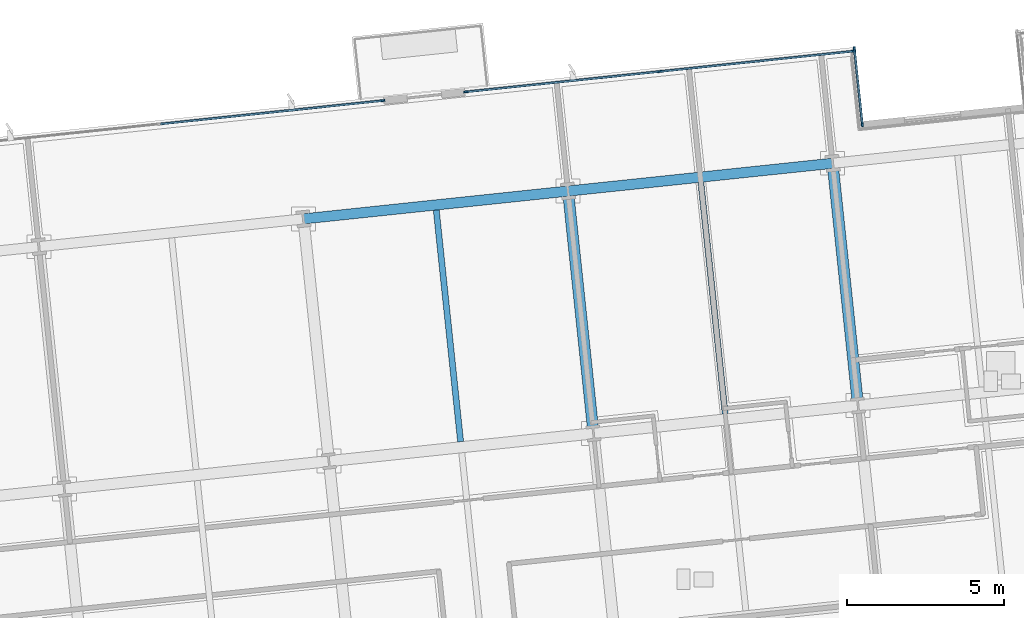
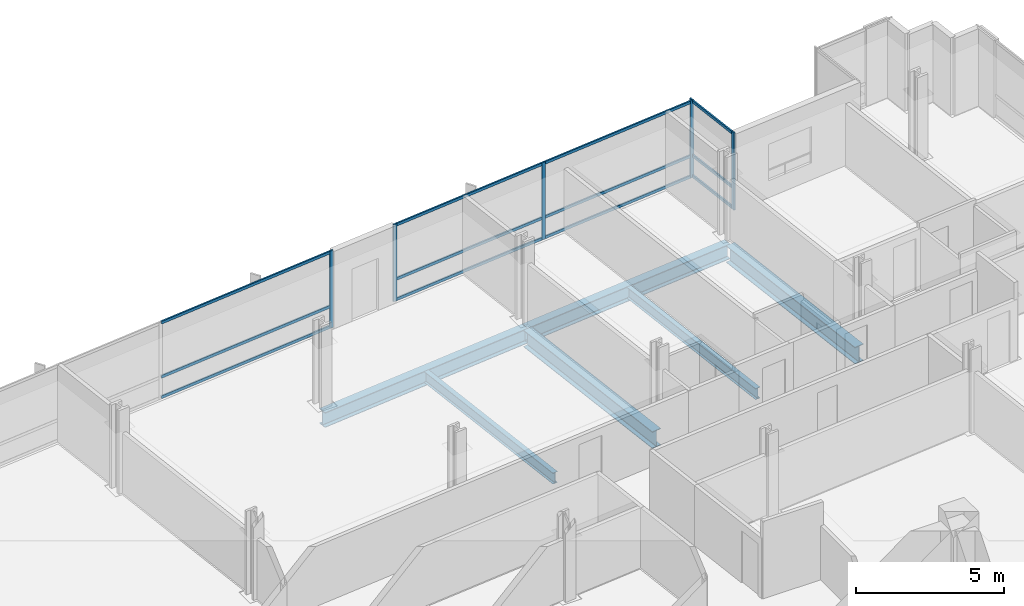
# One storey, part 10 of 21: 18 members, 6 beams, 3 elements without a shape of their own.
"""IFC4 building model written with IfcOpenShell, lengths in metres."""

import ifcopenshell
import ifcopenshell.guid

model = None  # the IFC model being written
_history = None  # IfcOwnerHistory: only IFC2X3 demands one
_inside = {}  # id of a spatial element -> (the spatial element, [elements in it])
_under = {}  # id of a project, library or spatial element -> (it, [spatial elements below it])
_declared = {}  # id of a project -> (the project, [libraries it declares])
_typed = {}  # id of a type object -> (the type object, [elements of that type])
_made_of = {}  # id of a material, layer set ... -> (it, [elements and type objects made of it])


def new_model(schema):
    """Start an empty IFC model of exactly this schema.

    Asked for "IFC4X3", IfcOpenShell would pick the latest addendum, in which some entities
    have other attributes; the version numbers below select the first issue.
    IFC2X3 requires an IfcOwnerHistory on every rooted entity: one is made here for all.
    """
    global model, _history
    if schema == "IFC4X3":
        model = ifcopenshell.file(schema_version=(4, 3, 0, 0))
    else:
        model = ifcopenshell.file(schema=schema)
    _inside.clear()
    _under.clear()
    _declared.clear()
    _typed.clear()
    _made_of.clear()
    _history = None
    if model.schema == "IFC2X3":
        org = make("IfcOrganization", Name="unknown")
        user = make(
            "IfcPersonAndOrganization",
            ThePerson=make("IfcPerson", FamilyName="unknown"),
            TheOrganization=org,
        )
        app = make(
            "IfcApplication",
            ApplicationDeveloper=org,
            Version="unknown",
            ApplicationFullName="unknown",
            ApplicationIdentifier="unknown",
        )
        _history = make(
            "IfcOwnerHistory",
            OwningUser=user,
            OwningApplication=app,
            ChangeAction="ADDED",
            CreationDate=0,
        )
    return model


def make(cls, **values):
    """One entity of the class cls with the attributes given. An attribute that is None is left unset."""
    return model.create_entity(
        cls, **{name: value for name, value in values.items() if value is not None}
    )


def rooted(cls, **values):
    """An entity with a GlobalId (a new one), such as an element, a storey or a relation."""
    return make(cls, GlobalId=ifcopenshell.guid.new(), OwnerHistory=_history, **values)


def si_unit(unit_type, name, prefix=None):
    """IfcSIUnit, for example si_unit("LENGTHUNIT", "METRE", prefix="MILLI")."""
    return make("IfcSIUnit", UnitType=unit_type, Prefix=prefix, Name=name)


def assignment(units):
    """IfcUnitAssignment: the units of a project."""
    return None if units is None else make("IfcUnitAssignment", Units=units)


def point(xyz):
    """IfcCartesianPoint."""
    return None if xyz is None else make("IfcCartesianPoint", Coordinates=xyz)


def direction(xyz):
    """IfcDirection."""
    return None if xyz is None else make("IfcDirection", DirectionRatios=xyz)


def frame(location, z_axis=None, x_axis=None):
    """IfcAxis2Placement3D, a coordinate frame: its origin and axes. An axis left out is left unset."""
    return make(
        "IfcAxis2Placement3D",
        Location=point(location),
        Axis=direction(z_axis),
        RefDirection=direction(x_axis),
    )


def frame_2d(location, x_axis=None):
    """IfcAxis2Placement2D, a coordinate frame in the plane: its origin and x axis."""
    return make(
        "IfcAxis2Placement2D", Location=point(location), RefDirection=direction(x_axis)
    )


def origin():
    """The frame at (0, 0, 0) with its axes left unset."""
    return frame((0.0, 0.0, 0.0))


def origin_2d():
    """The frame at (0, 0) in the plane with its x axis left unset."""
    return frame_2d((0.0, 0.0))


def place(relative_to, where):
    """IfcLocalPlacement: puts the frame where relative to a parent placement (None: the world)."""
    return make(
        "IfcLocalPlacement", PlacementRelTo=relative_to, RelativePlacement=where
    )


def context(
    kind, dimensions, precision=None, world=None, true_north=None, identifier=None
):
    """IfcGeometricRepresentationContext, for example the 3D "Model" context."""
    return make(
        "IfcGeometricRepresentationContext",
        ContextIdentifier=identifier,
        ContextType=kind,
        CoordinateSpaceDimension=dimensions,
        Precision=precision,
        WorldCoordinateSystem=world,
        TrueNorth=true_north,
    )


def subcontext(parent, identifier, kind, view, scale=None):
    """IfcGeometricRepresentationSubContext, for example "Body" below "Model"."""
    return make(
        "IfcGeometricRepresentationSubContext",
        ContextIdentifier=identifier,
        ContextType=kind,
        ParentContext=parent,
        TargetScale=scale,
        TargetView=view,
    )


def project(units=None, contexts=None):
    """IfcProject with its units and contexts."""
    return rooted(
        "IfcProject",
        Name="project",
        RepresentationContexts=contexts,
        UnitsInContext=assignment(units),
    )


def spatial(cls, under=None, at=None, **own):
    """A site, building, storey or space (cls), placed at a placement, below another one or the project."""
    s = rooted(cls, ObjectPlacement=at, **own)
    if under is not None:
        _under.setdefault(under.id(), (under, []))[1].append(s)
    return s


def profile(cls, at=None, kind="AREA", **sizes):
    """A parametric profile (cls). Its sizes go by their IFC names, for example OverallWidth=200.0."""
    return make(cls, ProfileType=kind, Position=at, **sizes)


def rectangle(**sizes):
    """IfcRectangleProfileDef."""
    return profile("IfcRectangleProfileDef", **sizes)


def i_section(**sizes):
    """IfcIShapeProfileDef."""
    return profile("IfcIShapeProfileDef", **sizes)


def extrude(swept, where, along, depth):
    """IfcExtrudedAreaSolid: the profile swept, set in the frame where, extruded along a direction by depth."""
    return make(
        "IfcExtrudedAreaSolid",
        SweptArea=swept,
        Position=where,
        ExtrudedDirection=direction(along),
        Depth=depth,
    )


def shape(context_of_items, identifier, shape_type, items):
    """IfcShapeRepresentation: the items that make up one representation, for example the "Body"."""
    return make(
        "IfcShapeRepresentation",
        ContextOfItems=context_of_items,
        RepresentationIdentifier=identifier,
        RepresentationType=shape_type,
        Items=items,
    )


def material(Name=None, Category=None):
    """IfcMaterial."""
    return make("IfcMaterial", Name=Name, Category=Category)


def material_profile(
    of_material, cross_section, Name=None, Category=None, Priority=None
):
    """IfcMaterialProfile: a cross section and its material."""
    return make(
        "IfcMaterialProfile",
        Name=Name,
        Material=of_material,
        Profile=cross_section,
        Priority=Priority,
        Category=Category,
    )


def profile_set(profiles, Name=None, composite=None):
    """IfcMaterialProfileSet."""
    return make(
        "IfcMaterialProfileSet",
        Name=Name,
        MaterialProfiles=profiles,
        CompositeProfile=composite,
    )


def made_of(thing, what):
    """Note that an element or type object is made of a material, layer set ...; save() writes the relation."""
    if what is not None:
        _made_of.setdefault(what.id(), (what, []))[1].append(thing)
    return thing


def type_object(cls, material=None, **own):
    """A type object (cls), such as IfcWallType, which elements share."""
    return made_of(rooted(cls, **own), material)


def element(
    cls,
    number,
    at=None,
    inside=None,
    cuts=None,
    type_object=None,
    material=None,
    context=None,
    identifier="Body",
    shape_type=None,
    held_by="IfcProductDefinitionShape",
    body=None,
    shapes=None,
    **own,
):
    """One element of the class cls, such as IfcWall. Its Tag is "e" and its number.

    at: its placement. inside: the storey or other place that contains it. cuts: it is an
    opening in that element (IfcRelVoidsElement). A single representation is given by context,
    identifier, shape_type and body (its items); several are given by shapes. held_by: the class
    of the entity that holds the representations. save() writes the other relations.
    """
    e = rooted(cls, Tag="e%d" % number, ObjectPlacement=at, **own)
    if body is not None:
        shapes = [shape(context, identifier, shape_type, body)]
    if shapes is not None:
        e.Representation = make(held_by, Representations=shapes)
    if inside is not None:
        _inside.setdefault(inside.id(), (inside, []))[1].append(e)
    if cuts is not None:
        rooted(
            "IfcRelVoidsElement", RelatingBuildingElement=cuts, RelatedOpeningElement=e
        )
    if type_object is not None:
        _typed.setdefault(type_object.id(), (type_object, []))[1].append(e)
    return made_of(e, material)


def aggregate(whole, parts):
    """IfcRelAggregates: a whole, such as a stair, and the parts it consists of."""
    return rooted("IfcRelAggregates", RelatingObject=whole, RelatedObjects=parts)


def save(model, path):
    """Write the relations noted so far, then the file.

    IfcRelAggregates (storeys below a building ...), IfcRelContainedInSpatialStructure (elements
    in a storey), IfcRelDefinesByType, IfcRelAssociatesMaterial and IfcRelDeclares: one each for
    every whole, place, type object, material and project.
    """
    for whole, parts in _under.values():
        aggregate(whole, parts)
    for where, things in _inside.values():
        rooted(
            "IfcRelContainedInSpatialStructure",
            RelatedElements=things,
            RelatingStructure=where,
        )
    for kind, things in _typed.values():
        rooted("IfcRelDefinesByType", RelatedObjects=things, RelatingType=kind)
    for what, things in _made_of.values():
        rooted("IfcRelAssociatesMaterial", RelatedObjects=things, RelatingMaterial=what)
    for by, libraries in _declared.values():
        rooted("IfcRelDeclares", RelatingContext=by, RelatedDefinitions=libraries)
    model.write(path)


model = new_model("IFC4")

# Units and contexts
model_context = context("Model", 3, precision=1e-05, world=origin(), true_north=direction((0.0, 1.0)))
body_context = subcontext(model_context, "Body", "Model", "MODEL_VIEW")
ifc_project = project(units=[si_unit("LENGTHUNIT", "METRE"), si_unit("AREAUNIT", "SQUARE_METRE"), si_unit("VOLUMEUNIT", "CUBIC_METRE"), si_unit("PLANEANGLEUNIT", "RADIAN"), si_unit("MASSUNIT", "GRAM", prefix="KILO")], contexts=[model_context])

# Site, building, storey
site_placement = place(None, origin())
site = spatial("IfcSite", under=ifc_project, at=site_placement, CompositionType="ELEMENT")
building_placement = place(site_placement, origin())
building = spatial("IfcBuilding", under=site, at=building_placement, Name="Solmavex Isthmus Hotel", CompositionType="ELEMENT")
storey_placement = place(building_placement, frame((0.0, 0.0, 113.25)))
storey = spatial("IfcBuildingStorey", under=building, at=storey_placement, Name="L30", CompositionType="ELEMENT", Elevation=113.25)

# Beams
ifc_material_1 = material(Name="Steel ASTM A992 Grade 50", Category="steel")
ifc_material_profile_1 = material_profile(ifc_material_1, i_section(OverallWidth=0.354736328125, OverallDepth=0.695556640625, WebThickness=0.015380859375, FlangeThickness=0.02490234375, FilletRadius=0.017822265625, at=origin_2d()), Name="W27X146")
ifc_profile_set_1 = profile_set([ifc_material_profile_1], Name="Steel ASTM A992 Grade 50")
beam_type_1 = type_object("IfcBeamType", Name="BM-BG-W27X146", PredefinedType="BEAM", material=ifc_profile_set_1)
for number, where, z_axis, x_axis, name in (
    (1, (12.123291015625, 11.21337890625, -0.607666015625), (-0.104525307271, 0.994522227072, 0.0), (-0.994522227072, -0.104525307271, 0.0), "Floor Beam L30-VG42"),
    (2, (20.54296875, 12.098388671875, -0.607666015625), (-0.1045578893, 0.994518802128, 0.0), (-0.994518802128, -0.1045578893, 0.0), "Floor Beam L30-VG45"),
):
    element("IfcBeam", number, at=place(storey_placement, frame(where, z_axis=z_axis, x_axis=x_axis)), inside=storey, type_object=beam_type_1, Name=name, PredefinedType="BEAM", context=body_context, shape_type="SweptSolid", body=[
        extrude(i_section(OverallWidth=0.354736328125, OverallDepth=0.695556640625, WebThickness=0.015380859375, FlangeThickness=0.02490234375, FilletRadius=0.017822265625, at=origin_2d()), origin(), (0.0, 0.0, 1.0), 7.4111328125),
    ])
ifc_material_profile_2 = material_profile(ifc_material_1, i_section(OverallWidth=0.1904296875, OverallDepth=0.456787109375, WebThickness=0.009033203125, FlangeThickness=0.014404296875, FilletRadius=0.0126953125, at=origin_2d()), Name="W18X50")
ifc_profile_set_2 = profile_set([ifc_material_profile_2], Name="Steel ASTM A992 Grade 50")
beam_type_2 = type_object("IfcBeamType", Name="BM-BJ-W18X50", PredefinedType="JOIST", material=ifc_profile_set_2)
beam_1_placement = place(storey_placement, frame((7.913330078125, 10.77099609375, -0.488525390625), z_axis=(-0.104525307271, 0.994522227072, 0.0), x_axis=(-0.994522227072, -0.104525307271, 0.0)))
element("IfcBeam", 3, at=beam_1_placement, inside=storey, type_object=beam_type_2, Name="Secondary Floor Joist L30-J15", PredefinedType="JOIST", context=body_context, shape_type="SweptSolid", body=[
    extrude(i_section(OverallWidth=0.1904296875, OverallDepth=0.456787109375, WebThickness=0.009033203125, FlangeThickness=0.014404296875, FilletRadius=0.0126953125, at=origin_2d()), origin(), (0.0, 0.0, 1.0), 7.4111328125),
])
beam_2_placement = place(storey_placement, frame((16.3330078125, 11.65576171875, -0.488525390625), z_axis=(-0.10452188296, 0.994522586964, 0.0), x_axis=(-0.994522586964, -0.10452188296, 0.0)))
element("IfcBeam", 4, at=beam_2_placement, inside=storey, type_object=beam_type_2, Name="Secondary Floor Joist L30-J18", PredefinedType="JOIST", context=body_context, shape_type="SweptSolid", body=[
    extrude(i_section(OverallWidth=0.1904296875, OverallDepth=0.456787109375, WebThickness=0.009033203125, FlangeThickness=0.014404296875, FilletRadius=0.0126953125, at=origin_2d()), origin(), (0.0, 0.0, 1.0), 7.411376953125),
])
ifc_material_profile_3 = material_profile(ifc_material_1, i_section(OverallWidth=0.326416015625, OverallDepth=0.621826171875, WebThickness=0.015380859375, FlangeThickness=0.0244140625, FilletRadius=0.01513671875, at=origin_2d()), Name="W24X131")
ifc_profile_set_3 = profile_set([ifc_material_profile_3], Name="Steel ASTM A992 Grade 50")
beam_type_3 = type_object("IfcBeamType", Name="BM-SP-W24X131", PredefinedType="SPANDREL", material=ifc_profile_set_3)
for number, where, z_axis, x_axis, name in (
    (5, (2.911865234375, 17.861572265625, -0.57080078125), (0.994521085209, 0.104536171134, 0.0), (-0.104536171134, 0.994521085209, 0.0), "Floor Girder L30-UG22"),
    (6, (11.33154296875, 18.74658203125, -0.57080078125), (0.994524082861, 0.104507648572, 0.0), (-0.104507648572, 0.994524082861, 0.0), "Floor Girder L30-UG23"),
):
    element("IfcBeam", number, at=place(storey_placement, frame(where, z_axis=z_axis, x_axis=x_axis)), inside=storey, type_object=beam_type_3, Name=name, PredefinedType="SPANDREL", context=body_context, shape_type="SweptSolid", body=[
        extrude(i_section(OverallWidth=0.326416015625, OverallDepth=0.621826171875, WebThickness=0.015380859375, FlangeThickness=0.0244140625, FilletRadius=0.01513671875, at=origin_2d()), origin(), (0.0, 0.0, 1.0), 8.466064453125),
    ])

# Curtain wall, members
ifc_material_2 = material(Name="Aluminium alloy 6063-T6", Category="aluminium")
curtain_wall_type = type_object("IfcCurtainWallType", Name="CW-SYS-06", PredefinedType="NOTDEFINED", material=ifc_material_2)
curtain_wall_1_placement = place(storey_placement, origin())
curtain_wall_1 = element("IfcCurtainWall", 7, at=curtain_wall_1_placement, inside=storey, type_object=curtain_wall_type, Name="Stick Curtain Wall CWL-L30-SGW", PredefinedType="NOTDEFINED")
ifc_material_profile_4 = material_profile(ifc_material_2, rectangle(XDim=0.06005859375, YDim=0.139892578125, at=origin_2d()), Name="CWM-60X140")
ifc_profile_set_4 = profile_set([ifc_material_profile_4], Name="Aluminium alloy 6063-T6")
member_type_1 = type_object("IfcMemberType", Name="CW-SYS-06-MUL", PredefinedType="MULLION", material=ifc_profile_set_4)
member_1_placement = place(storey_placement, frame((20.695068359375, 20.866943359375, 0.0), z_axis=(0.0, 0.0, 1.0), x_axis=(-0.994521901108, -0.10452840866, 0.0)))
member_1 = element("IfcMember", 8, at=member_1_placement, type_object=member_type_1, Name="CW-06 mullion 1", PredefinedType="MULLION", context=body_context, shape_type="SweptSolid", body=[
    extrude(rectangle(XDim=0.06005859375, YDim=0.139892578125, at=origin_2d()), origin(), (0.0, 0.0, 1.0), 3.18994140625),
])
member_2_placement = place(storey_placement, frame((20.442138671875, 23.273681640625, 0.0), z_axis=(0.0, 0.0, 1.0), x_axis=(-0.994521901108, -0.10452840866, 0.0)))
member_2 = element("IfcMember", 9, at=member_2_placement, type_object=member_type_1, Name="CW-06 mullion 2", PredefinedType="MULLION", context=body_context, shape_type="SweptSolid", body=[
    extrude(rectangle(XDim=0.06005859375, YDim=0.139892578125, at=origin_2d()), origin(), (0.0, 0.0, 1.0), 3.18994140625),
])

# Curtain wall, member
curtain_wall_2_placement = place(storey_placement, origin())
curtain_wall_2 = element("IfcCurtainWall", 10, at=curtain_wall_2_placement, inside=storey, type_object=curtain_wall_type, Name="Stick Curtain Wall CWL-L30-N2", PredefinedType="NOTDEFINED")
member_3_placement = place(storey_placement, frame((5.435302734375, 21.6259765625, 0.0), z_axis=(0.0, 0.0, 1.0), x_axis=(-0.104528313766, 0.994521911082, 0.0)))
member_3 = element("IfcMember", 11, at=member_3_placement, type_object=member_type_1, Name="CW-06 mullion 3", PredefinedType="MULLION", context=body_context, shape_type="SweptSolid", body=[
    extrude(rectangle(XDim=0.06005859375, YDim=0.139892578125, at=origin_2d()), origin(), (0.0, 0.0, 1.0), 3.18994140625),
])

# Curtain wall, members
curtain_wall_3_placement = place(storey_placement, origin())
curtain_wall_3 = element("IfcCurtainWall", 12, at=curtain_wall_3_placement, inside=storey, type_object=curtain_wall_type, Name="Stick Curtain Wall CWL-L30-N3", PredefinedType="NOTDEFINED")
member_4_placement = place(storey_placement, frame((8.08056640625, 21.904052734375, 0.0), z_axis=(0.0, 0.0, 1.0), x_axis=(-0.104528789991, 0.994521861028, 0.0)))
member_4 = element("IfcMember", 13, at=member_4_placement, type_object=member_type_1, Name="CW-06 mullion 1", PredefinedType="MULLION", context=body_context, shape_type="SweptSolid", body=[
    extrude(rectangle(XDim=0.06005859375, YDim=0.139892578125, at=origin_2d()), origin(), (0.0, 0.0, 1.0), 3.18994140625),
])
member_5_placement = place(storey_placement, frame((14.250244140625, 22.552490234375, 0.0), z_axis=(0.0, 0.0, 1.0), x_axis=(-0.104528789991, 0.994521861028, 0.0)))
member_5 = element("IfcMember", 14, at=member_5_placement, type_object=member_type_1, Name="CW-06 mullion 2", PredefinedType="MULLION", context=body_context, shape_type="SweptSolid", body=[
    extrude(rectangle(XDim=0.06005859375, YDim=0.139892578125, at=origin_2d()), origin(), (0.0, 0.0, 1.0), 3.18994140625),
])
member_6_placement = place(storey_placement, frame((20.419677734375, 23.200927734375, 0.0), z_axis=(0.0, 0.0, 1.0), x_axis=(-0.104528789991, 0.994521861028, 0.0)))
member_6 = element("IfcMember", 15, at=member_6_placement, type_object=member_type_1, Name="CW-06 mullion 3", PredefinedType="MULLION", context=body_context, shape_type="SweptSolid", body=[
    extrude(rectangle(XDim=0.06005859375, YDim=0.139892578125, at=origin_2d()), origin(), (0.0, 0.0, 1.0), 3.18994140625),
])

# Member
ifc_material_profile_5 = material_profile(ifc_material_2, rectangle(XDim=0.06005859375, YDim=0.114990234375, at=origin_2d()), Name="CWT-60X115")
ifc_profile_set_5 = profile_set([ifc_material_profile_5], Name="Aluminium alloy 6063-T6")
member_type_2 = type_object("IfcMemberType", Name="CW-SYS-06-TRN", PredefinedType="USERDEFINED", material=ifc_profile_set_5)
member_7_placement = place(storey_placement, frame((20.69189453125, 20.896728515625, 0.0576171875), z_axis=(-0.104490908173, 0.994525841851, 0.0), x_axis=(-0.994525841851, -0.104490908173, 0.0)))
member_7 = element("IfcMember", 16, at=member_7_placement, type_object=member_type_2, Name="CW-06 transom 1.1", ObjectType="TRANSOM", PredefinedType="USERDEFINED", context=body_context, shape_type="SweptSolid", body=[
    extrude(rectangle(XDim=0.06005859375, YDim=0.114990234375, at=origin_2d()), origin(), (0.0, 0.0, 1.0), 2.35986328125),
])

member_8_placement = place(storey_placement, frame((20.69189453125, 20.896728515625, 0.89990234375), z_axis=(-0.104490908173, 0.994525841851, 0.0), x_axis=(-0.994525841851, -0.104490908173, 0.0)))
member_8 = element("IfcMember", 17, at=member_8_placement, type_object=member_type_2, Name="CW-06 transom 1.2", ObjectType="TRANSOM", PredefinedType="USERDEFINED", context=body_context, shape_type="SweptSolid", body=[
    extrude(rectangle(XDim=0.06005859375, YDim=0.114990234375, at=origin_2d()), origin(), (0.0, 0.0, 1.0), 2.35986328125),
])

member_9_placement = place(storey_placement, frame((20.69189453125, 20.896728515625, 3.132568359375), z_axis=(-0.104490908173, 0.994525841851, 0.0), x_axis=(-0.994525841851, -0.104490908173, 0.0)))
member_9 = element("IfcMember", 18, at=member_9_placement, type_object=member_type_2, Name="CW-06 transom 1.3", ObjectType="TRANSOM", PredefinedType="USERDEFINED", context=body_context, shape_type="SweptSolid", body=[
    extrude(rectangle(XDim=0.06005859375, YDim=0.114990234375, at=origin_2d()), origin(), (0.0, 0.0, 1.0), 2.35986328125),
])

aggregate(curtain_wall_1, [member_1, member_2, member_7, member_8, member_9])

member_10_placement = place(storey_placement, frame((-1.6318359375, 20.883056640625, 0.0576171875), z_axis=(0.994520189627, 0.104544691041, 0.0), x_axis=(-0.104544691041, 0.994520189627, 0.0)))
member_10 = element("IfcMember", 19, at=member_10_placement, type_object=member_type_2, Name="CW-06 transom 2.1", ObjectType="TRANSOM", PredefinedType="USERDEFINED", context=body_context, shape_type="SweptSolid", body=[
    extrude(rectangle(XDim=0.06005859375, YDim=0.114990234375, at=origin_2d()), origin(), (0.0, 0.0, 1.0), 7.075927734375),
])

member_11_placement = place(storey_placement, frame((-1.6318359375, 20.883056640625, 0.89990234375), z_axis=(0.994520189627, 0.104544691041, 0.0), x_axis=(-0.104544691041, 0.994520189627, 0.0)))
member_11 = element("IfcMember", 20, at=member_11_placement, type_object=member_type_2, Name="CW-06 transom 2.2", ObjectType="TRANSOM", PredefinedType="USERDEFINED", context=body_context, shape_type="SweptSolid", body=[
    extrude(rectangle(XDim=0.06005859375, YDim=0.114990234375, at=origin_2d()), origin(), (0.0, 0.0, 1.0), 7.075927734375),
])

member_12_placement = place(storey_placement, frame((-1.6318359375, 20.883056640625, 3.132568359375), z_axis=(0.994520189627, 0.104544691041, 0.0), x_axis=(-0.104544691041, 0.994520189627, 0.0)))
member_12 = element("IfcMember", 21, at=member_12_placement, type_object=member_type_2, Name="CW-06 transom 2.3", ObjectType="TRANSOM", PredefinedType="USERDEFINED", context=body_context, shape_type="SweptSolid", body=[
    extrude(rectangle(XDim=0.06005859375, YDim=0.114990234375, at=origin_2d()), origin(), (0.0, 0.0, 1.0), 7.075927734375),
])

aggregate(curtain_wall_2, [member_3, member_10, member_11, member_12])

member_13_placement = place(storey_placement, frame((8.1103515625, 21.906982421875, 0.0576171875), z_axis=(0.994519162654, 0.104554460039, 0.0), x_axis=(-0.104554460039, 0.994519162654, 0.0)))
member_13 = element("IfcMember", 22, at=member_13_placement, type_object=member_type_2, Name="CW-06 transom 1.1", ObjectType="TRANSOM", PredefinedType="USERDEFINED", context=body_context, shape_type="SweptSolid", body=[
    extrude(rectangle(XDim=0.06005859375, YDim=0.114990234375, at=origin_2d()), origin(), (0.0, 0.0, 1.0), 6.1435546875),
])

member_14_placement = place(storey_placement, frame((8.1103515625, 21.906982421875, 0.89990234375), z_axis=(0.994519162654, 0.104554460039, 0.0), x_axis=(-0.104554460039, 0.994519162654, 0.0)))
member_14 = element("IfcMember", 23, at=member_14_placement, type_object=member_type_2, Name="CW-06 transom 1.2", ObjectType="TRANSOM", PredefinedType="USERDEFINED", context=body_context, shape_type="SweptSolid", body=[
    extrude(rectangle(XDim=0.06005859375, YDim=0.114990234375, at=origin_2d()), origin(), (0.0, 0.0, 1.0), 6.1435546875),
])

member_15_placement = place(storey_placement, frame((8.1103515625, 21.906982421875, 3.132568359375), z_axis=(0.994519162654, 0.104554460039, 0.0), x_axis=(-0.104554460039, 0.994519162654, 0.0)))
member_15 = element("IfcMember", 24, at=member_15_placement, type_object=member_type_2, Name="CW-06 transom 1.3", ObjectType="TRANSOM", PredefinedType="USERDEFINED", context=body_context, shape_type="SweptSolid", body=[
    extrude(rectangle(XDim=0.06005859375, YDim=0.114990234375, at=origin_2d()), origin(), (0.0, 0.0, 1.0), 6.1435546875),
])

member_16_placement = place(storey_placement, frame((14.280029296875, 22.555419921875, 0.0576171875), z_axis=(0.994519162654, 0.104554460039, 0.0), x_axis=(-0.104554460039, 0.994519162654, 0.0)))
member_16 = element("IfcMember", 25, at=member_16_placement, type_object=member_type_2, Name="CW-06 transom 2.1", ObjectType="TRANSOM", PredefinedType="USERDEFINED", context=body_context, shape_type="SweptSolid", body=[
    extrude(rectangle(XDim=0.06005859375, YDim=0.114990234375, at=origin_2d()), origin(), (0.0, 0.0, 1.0), 6.1435546875),
])

member_17_placement = place(storey_placement, frame((14.280029296875, 22.555419921875, 0.89990234375), z_axis=(0.994519162654, 0.104554460039, 0.0), x_axis=(-0.104554460039, 0.994519162654, 0.0)))
member_17 = element("IfcMember", 26, at=member_17_placement, type_object=member_type_2, Name="CW-06 transom 2.2", ObjectType="TRANSOM", PredefinedType="USERDEFINED", context=body_context, shape_type="SweptSolid", body=[
    extrude(rectangle(XDim=0.06005859375, YDim=0.114990234375, at=origin_2d()), origin(), (0.0, 0.0, 1.0), 6.1435546875),
])

member_18_placement = place(storey_placement, frame((14.280029296875, 22.555419921875, 3.132568359375), z_axis=(0.994519162654, 0.104554460039, 0.0), x_axis=(-0.104554460039, 0.994519162654, 0.0)))
member_18 = element("IfcMember", 27, at=member_18_placement, type_object=member_type_2, Name="CW-06 transom 2.3", ObjectType="TRANSOM", PredefinedType="USERDEFINED", context=body_context, shape_type="SweptSolid", body=[
    extrude(rectangle(XDim=0.06005859375, YDim=0.114990234375, at=origin_2d()), origin(), (0.0, 0.0, 1.0), 6.1435546875),
])

aggregate(curtain_wall_3, [member_4, member_5, member_6, member_13, member_14, member_15, member_16, member_17, member_18])

save(model, "model.ifc")
